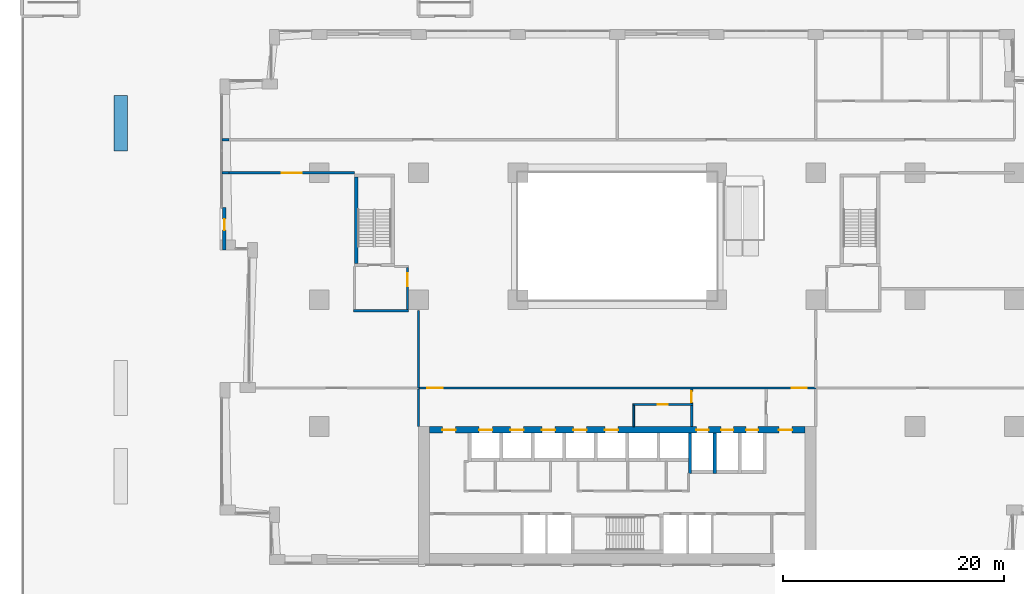
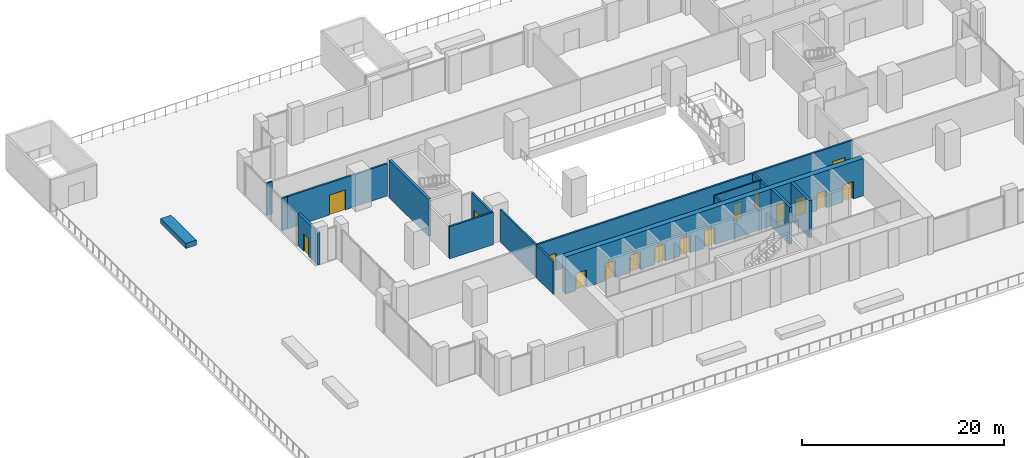
# One storey, part 13 of 19: 18 walls, 17 doors, 17 openings.
"""IFC4 building model written with IfcOpenShell, lengths in metres."""

from ifc_helpers import new_model, si_unit, direction, frame, frame_2d, origin, place, context, subcontext, project, spatial, rectangle, extrude, material, layer, layer_set, type_object, element, fill, save


model = new_model("IFC4")

# Units and contexts
model_context = context("Model", 3, precision=1e-05, world=origin(), true_north=direction((0.0, 1.0)))
body_context = subcontext(model_context, "Body", "Model", "MODEL_VIEW")
ifc_project = project(units=[si_unit("LENGTHUNIT", "METRE"), si_unit("AREAUNIT", "SQUARE_METRE"), si_unit("VOLUMEUNIT", "CUBIC_METRE"), si_unit("PLANEANGLEUNIT", "RADIAN"), si_unit("MASSUNIT", "GRAM", prefix="KILO")], contexts=[model_context])

# Site, building, storey
site_placement = place(None, origin())
site = spatial("IfcSite", under=ifc_project, at=site_placement, CompositionType="ELEMENT")
building_placement = place(site_placement, origin())
building = spatial("IfcBuilding", under=site, at=building_placement, Name="Brigalow Station Residences", CompositionType="ELEMENT")
storey_placement = place(building_placement, frame((0.0, 0.0, 11.0)))
storey = spatial("IfcBuildingStorey", under=building, at=storey_placement, Name="L02", CompositionType="ELEMENT", Elevation=11.0)

# Walls
ifc_material_1 = material(Name="Concrete C80", Category="concrete")
ifc_layer_1 = layer(ifc_material_1, 0.300048828125)
ifc_layer_set_1 = layer_set([ifc_layer_1], Name="CORE SHEAR WALL 300 C80")
wall_type_1 = type_object("IfcWallType", Name="CORE SHEAR WALL 300 C80", PredefinedType="SHEAR", material=ifc_layer_set_1)
for number, where, z_axis, x_axis, name in (
    (1, (42.60009765625, 8.25, 0.0), (0.0, 0.0, 1.0), (0.0, 1.0, 0.0), "CORE WALL SH-FF1-W L02"),
    (2, (44.85009765625, 8.25, 0.0), (0.0, 0.0, 1.0), (0.0, 1.0, 0.0), "CORE WALL SH-FF2-W L02"),
):
    element("IfcWall", number, at=place(storey_placement, frame(where, z_axis=z_axis, x_axis=x_axis)), inside=storey, type_object=wall_type_1, Name=name, PredefinedType="SHEAR", context=body_context, shape_type="SweptSolid", body=[
        extrude(rectangle(XDim=3.64990234375, YDim=0.300048828125, at=frame_2d((1.824951171875, 0.0))), origin(), (0.0, 0.0, 1.0), 4.5),
    ])
wall_1_placement = place(storey_placement, frame((12.35009765625, 27.300048828125, 0.0), z_axis=(0.0, 0.0, 1.0), x_axis=(0.0, 1.0, 0.0)))
element("IfcWall", 3, at=wall_1_placement, inside=storey, type_object=wall_type_1, Name="CORE WALL ST-S1-W L02", PredefinedType="SHEAR", context=body_context, shape_type="SweptSolid", body=[
    extrude(rectangle(XDim=7.800048828125, YDim=0.300048828125, at=frame_2d((3.89990234375, 0.0))), origin(), (0.0, 0.0, 1.0), 4.5),
])

# Wall, openings, doors
ifc_material_2 = material(Name="Concrete C80", Category="concrete")
ifc_layer_2 = layer(ifc_material_2, 0.60009765625)
ifc_layer_set_2 = layer_set([ifc_layer_2], Name="CORE SHEAR WALL 600 C80")
wall_type_2 = type_object("IfcWallType", Name="CORE SHEAR WALL 600 C80", PredefinedType="SHEAR", material=ifc_layer_set_2)
wall_2_placement = place(storey_placement, frame((19.0, 12.199951171875, 0.0), z_axis=(0.0, 0.0, 1.0), x_axis=(1.0, 0.0, 0.0)))
wall_2 = element("IfcWall", 4, at=wall_2_placement, inside=storey, type_object=wall_type_2, Name="CORE WALL OUT-N L02", PredefinedType="SHEAR", context=body_context, shape_type="SweptSolid", body=[
    extrude(rectangle(XDim=34.0, YDim=0.60009765625, at=frame_2d((17.0, 0.0))), origin(), (0.0, 0.0, 1.0), 4.5),
])
opening_1_placement = place(wall_2_placement, frame((4.47509765625, 0.0, 0.0)))
opening_1 = element("IfcOpeningElement", 5, at=opening_1_placement, cuts=wall_2, Name="Opening LD-LA1", PredefinedType="OPENING", context=body_context, shape_type="SweptSolid", body=[
    extrude(rectangle(XDim=1.199951171875, YDim=2.10009765625, at=frame_2d((0.60009765625, 1.050048828125))), frame((0.0, 0.31005859375, 0.0), z_axis=(0.0, -1.0, 0.0), x_axis=(1.0, 0.0, 0.0)), (0.0, 0.0, 1.0), 0.6201171875),
])
opening_2_placement = place(wall_2_placement, frame((7.324951171875, 0.0, 0.0)))
opening_2 = element("IfcOpeningElement", 6, at=opening_2_placement, cuts=wall_2, Name="Opening LD-LA2", PredefinedType="OPENING", context=body_context, shape_type="SweptSolid", body=[
    extrude(rectangle(XDim=1.199951171875, YDim=2.10009765625, at=frame_2d((0.60009765625, 1.050048828125))), frame((0.0, 0.31005859375, 0.0), z_axis=(0.0, -1.0, 0.0), x_axis=(1.0, 0.0, 0.0)), (0.0, 0.0, 1.0), 0.6201171875),
])
opening_3_placement = place(wall_2_placement, frame((10.175048828125, 0.0, 0.0)))
opening_3 = element("IfcOpeningElement", 7, at=opening_3_placement, cuts=wall_2, Name="Opening LD-LA3", PredefinedType="OPENING", context=body_context, shape_type="SweptSolid", body=[
    extrude(rectangle(XDim=1.199951171875, YDim=2.10009765625, at=frame_2d((0.60009765625, 1.050048828125))), frame((0.0, 0.31005859375, 0.0), z_axis=(0.0, -1.0, 0.0), x_axis=(1.0, 0.0, 0.0)), (0.0, 0.0, 1.0), 0.6201171875),
])
opening_4_placement = place(wall_2_placement, frame((13.02490234375, 0.0, 0.0)))
opening_4 = element("IfcOpeningElement", 8, at=opening_4_placement, cuts=wall_2, Name="Opening LD-LA4", PredefinedType="OPENING", context=body_context, shape_type="SweptSolid", body=[
    extrude(rectangle(XDim=1.199951171875, YDim=2.10009765625, at=frame_2d((0.60009765625, 1.050048828125))), frame((0.0, 0.31005859375, 0.0), z_axis=(0.0, -1.0, 0.0), x_axis=(1.0, 0.0, 0.0)), (0.0, 0.0, 1.0), 0.6201171875),
])
opening_5_placement = place(wall_2_placement, frame((15.875, 0.0, 0.0)))
opening_5 = element("IfcOpeningElement", 9, at=opening_5_placement, cuts=wall_2, Name="Opening LD-LA5", PredefinedType="OPENING", context=body_context, shape_type="SweptSolid", body=[
    extrude(rectangle(XDim=1.199951171875, YDim=2.10009765625, at=frame_2d((0.60009765625, 1.050048828125))), frame((0.0, 0.31005859375, 0.0), z_axis=(0.0, -1.0, 0.0), x_axis=(1.0, 0.0, 0.0)), (0.0, 0.0, 1.0), 0.6201171875),
])
opening_6_placement = place(wall_2_placement, frame((24.175048828125, 0.0, 0.0)))
opening_6 = element("IfcOpeningElement", 10, at=opening_6_placement, cuts=wall_2, Name="Opening LD-LF1", PredefinedType="OPENING", context=body_context, shape_type="SweptSolid", body=[
    extrude(rectangle(XDim=1.10009765625, YDim=2.10009765625, at=frame_2d((0.550048828125, 1.050048828125))), frame((0.0, 0.31005859375, 0.0), z_axis=(0.0, -1.0, 0.0), x_axis=(1.0, 0.0, 0.0)), (0.0, 0.0, 1.0), 0.6201171875),
])
opening_7_placement = place(wall_2_placement, frame((26.425048828125, 0.0, 0.0)))
opening_7 = element("IfcOpeningElement", 11, at=opening_7_placement, cuts=wall_2, Name="Opening LD-LF2", PredefinedType="OPENING", context=body_context, shape_type="SweptSolid", body=[
    extrude(rectangle(XDim=1.10009765625, YDim=2.10009765625, at=frame_2d((0.550048828125, 1.050048828125))), frame((0.0, 0.31005859375, 0.0), z_axis=(0.0, -1.0, 0.0), x_axis=(1.0, 0.0, 0.0)), (0.0, 0.0, 1.0), 0.6201171875),
])
opening_8_placement = place(wall_2_placement, frame((28.675048828125, 0.0, 0.0)))
opening_8 = element("IfcOpeningElement", 12, at=opening_8_placement, cuts=wall_2, Name="Opening LD-LG1", PredefinedType="OPENING", context=body_context, shape_type="SweptSolid", body=[
    extrude(rectangle(XDim=1.10009765625, YDim=2.10009765625, at=frame_2d((0.550048828125, 1.050048828125))), frame((0.0, 0.31005859375, 0.0), z_axis=(0.0, -1.0, 0.0), x_axis=(1.0, 0.0, 0.0)), (0.0, 0.0, 1.0), 0.6201171875),
])
opening_9_placement = place(wall_2_placement, frame((1.14990234375, 0.0, 0.0)))
opening_9 = element("IfcOpeningElement", 13, at=opening_9_placement, cuts=wall_2, Name="Opening D-5011", PredefinedType="OPENING", context=body_context, shape_type="SweptSolid", body=[
    extrude(rectangle(XDim=1.199951171875, YDim=2.10009765625, at=frame_2d((0.60009765625, 1.050048828125))), frame((0.0, 0.31005859375, 0.0), z_axis=(0.0, -1.0, 0.0), x_axis=(1.0, 0.0, 0.0)), (0.0, 0.0, 1.0), 0.6201171875),
])
opening_10_placement = place(wall_2_placement, frame((31.64990234375, 0.0, 0.0)))
opening_10 = element("IfcOpeningElement", 14, at=opening_10_placement, cuts=wall_2, Name="Opening D-5012", PredefinedType="OPENING", context=body_context, shape_type="SweptSolid", body=[
    extrude(rectangle(XDim=1.199951171875, YDim=2.10009765625, at=frame_2d((0.60009765625, 1.050048828125))), frame((0.0, 0.31005859375, 0.0), z_axis=(0.0, -1.0, 0.0), x_axis=(1.0, 0.0, 0.0)), (0.0, 0.0, 1.0), 0.6201171875),
])
ifc_material_3 = material(Name="Steel fire door leaf in steel frame", Category="steel")
door_type_1 = type_object("IfcDoorType", Name="CORE CORRIDOR DOOR 1200 x 2100 FD60S", OperationType="SINGLE_SWING_LEFT", PredefinedType="DOOR", material=ifc_material_3)
door_1_placement = place(opening_9_placement, frame((1.199951171875, 0.0, 0.0), z_axis=(0.0, 0.0, 1.0), x_axis=(-1.0, 0.0, 0.0)))
door_1 = element("IfcDoor", 15, at=door_1_placement, inside=storey, type_object=door_type_1, Name="D-5011", OperationType="SINGLE_SWING_LEFT", OverallHeight=2.10009765625, OverallWidth=1.199951171875, PredefinedType="DOOR", context=body_context, shape_type="SweptSolid", body=[
    extrude(rectangle(XDim=1.199951171875, YDim=2.10009765625, at=frame_2d((0.60009765625, 1.050048828125))), frame((0.0, 0.02490234375, 0.0), z_axis=(0.0, -1.0, 0.0), x_axis=(1.0, 0.0, 0.0)), (0.0, 0.0, 1.0), 0.050048828125),
])
fill(opening_9, door_1)
door_2_placement = place(opening_10_placement, frame((1.199951171875, 0.0, 0.0), z_axis=(0.0, 0.0, 1.0), x_axis=(-1.0, 0.0, 0.0)))
door_2 = element("IfcDoor", 16, at=door_2_placement, inside=storey, type_object=door_type_1, Name="D-5012", OperationType="SINGLE_SWING_RIGHT", OverallHeight=2.10009765625, OverallWidth=1.199951171875, PredefinedType="DOOR", context=body_context, shape_type="SweptSolid", body=[
    extrude(rectangle(XDim=1.199951171875, YDim=2.10009765625, at=frame_2d((0.60009765625, 1.050048828125))), frame((0.0, 0.02490234375, 0.0), z_axis=(0.0, -1.0, 0.0), x_axis=(1.0, 0.0, 0.0)), (0.0, 0.0, 1.0), 0.050048828125),
])
fill(opening_10, door_2)
ifc_material_4 = material(Name="Stainless steel sliding door leaves", Category="steel")
door_type_2 = type_object("IfcDoorType", Name="LIFT LANDING DOOR 1100 x 2100", OperationType="DOUBLE_DOOR_SLIDING", PredefinedType="DOOR", material=ifc_material_4)
door_3_placement = place(opening_6_placement, origin())
door_3 = element("IfcDoor", 17, at=door_3_placement, inside=storey, type_object=door_type_2, Name="LANDING DOOR LF1", OperationType="DOUBLE_DOOR_SLIDING", OverallHeight=2.10009765625, OverallWidth=1.10009765625, PredefinedType="DOOR", context=body_context, shape_type="SweptSolid", body=[
    extrude(rectangle(XDim=1.10009765625, YDim=2.10009765625, at=frame_2d((0.550048828125, 1.050048828125))), frame((0.0, 0.02490234375, 0.0), z_axis=(0.0, -1.0, 0.0), x_axis=(1.0, 0.0, 0.0)), (0.0, 0.0, 1.0), 0.050048828125),
])
fill(opening_6, door_3)
door_4_placement = place(opening_7_placement, origin())
door_4 = element("IfcDoor", 18, at=door_4_placement, inside=storey, type_object=door_type_2, Name="LANDING DOOR LF2", OperationType="DOUBLE_DOOR_SLIDING", OverallHeight=2.10009765625, OverallWidth=1.10009765625, PredefinedType="DOOR", context=body_context, shape_type="SweptSolid", body=[
    extrude(rectangle(XDim=1.10009765625, YDim=2.10009765625, at=frame_2d((0.550048828125, 1.050048828125))), frame((0.0, 0.02490234375, 0.0), z_axis=(0.0, -1.0, 0.0), x_axis=(1.0, 0.0, 0.0)), (0.0, 0.0, 1.0), 0.050048828125),
])
fill(opening_7, door_4)
door_5_placement = place(opening_8_placement, origin())
door_5 = element("IfcDoor", 19, at=door_5_placement, inside=storey, type_object=door_type_2, Name="LANDING DOOR LG1", OperationType="DOUBLE_DOOR_SLIDING", OverallHeight=2.10009765625, OverallWidth=1.10009765625, PredefinedType="DOOR", context=body_context, shape_type="SweptSolid", body=[
    extrude(rectangle(XDim=1.10009765625, YDim=2.10009765625, at=frame_2d((0.550048828125, 1.050048828125))), frame((0.0, 0.02490234375, 0.0), z_axis=(0.0, -1.0, 0.0), x_axis=(1.0, 0.0, 0.0)), (0.0, 0.0, 1.0), 0.050048828125),
])
fill(opening_8, door_5)
ifc_material_5 = material(Name="Stainless steel sliding door leaves", Category="steel")
door_type_3 = type_object("IfcDoorType", Name="LIFT LANDING DOOR 1200 x 2100", OperationType="DOUBLE_DOOR_SLIDING", PredefinedType="DOOR", material=ifc_material_5)
door_6_placement = place(opening_1_placement, origin())
door_6 = element("IfcDoor", 20, at=door_6_placement, inside=storey, type_object=door_type_3, Name="LANDING DOOR LA1", OperationType="DOUBLE_DOOR_SLIDING", OverallHeight=2.10009765625, OverallWidth=1.199951171875, PredefinedType="DOOR", context=body_context, shape_type="SweptSolid", body=[
    extrude(rectangle(XDim=1.199951171875, YDim=2.10009765625, at=frame_2d((0.60009765625, 1.050048828125))), frame((0.0, 0.02490234375, 0.0), z_axis=(0.0, -1.0, 0.0), x_axis=(1.0, 0.0, 0.0)), (0.0, 0.0, 1.0), 0.050048828125),
])
fill(opening_1, door_6)
door_7_placement = place(opening_2_placement, origin())
door_7 = element("IfcDoor", 21, at=door_7_placement, inside=storey, type_object=door_type_3, Name="LANDING DOOR LA2", OperationType="DOUBLE_DOOR_SLIDING", OverallHeight=2.10009765625, OverallWidth=1.199951171875, PredefinedType="DOOR", context=body_context, shape_type="SweptSolid", body=[
    extrude(rectangle(XDim=1.199951171875, YDim=2.10009765625, at=frame_2d((0.60009765625, 1.050048828125))), frame((0.0, 0.02490234375, 0.0), z_axis=(0.0, -1.0, 0.0), x_axis=(1.0, 0.0, 0.0)), (0.0, 0.0, 1.0), 0.050048828125),
])
fill(opening_2, door_7)
door_8_placement = place(opening_3_placement, origin())
door_8 = element("IfcDoor", 22, at=door_8_placement, inside=storey, type_object=door_type_3, Name="LANDING DOOR LA3", OperationType="DOUBLE_DOOR_SLIDING", OverallHeight=2.10009765625, OverallWidth=1.199951171875, PredefinedType="DOOR", context=body_context, shape_type="SweptSolid", body=[
    extrude(rectangle(XDim=1.199951171875, YDim=2.10009765625, at=frame_2d((0.60009765625, 1.050048828125))), frame((0.0, 0.02490234375, 0.0), z_axis=(0.0, -1.0, 0.0), x_axis=(1.0, 0.0, 0.0)), (0.0, 0.0, 1.0), 0.050048828125),
])
fill(opening_3, door_8)
door_9_placement = place(opening_4_placement, origin())
door_9 = element("IfcDoor", 23, at=door_9_placement, inside=storey, type_object=door_type_3, Name="LANDING DOOR LA4", OperationType="DOUBLE_DOOR_SLIDING", OverallHeight=2.10009765625, OverallWidth=1.199951171875, PredefinedType="DOOR", context=body_context, shape_type="SweptSolid", body=[
    extrude(rectangle(XDim=1.199951171875, YDim=2.10009765625, at=frame_2d((0.60009765625, 1.050048828125))), frame((0.0, 0.02490234375, 0.0), z_axis=(0.0, -1.0, 0.0), x_axis=(1.0, 0.0, 0.0)), (0.0, 0.0, 1.0), 0.050048828125),
])
fill(opening_4, door_9)
door_10_placement = place(opening_5_placement, origin())
door_10 = element("IfcDoor", 24, at=door_10_placement, inside=storey, type_object=door_type_3, Name="LANDING DOOR LA5", OperationType="DOUBLE_DOOR_SLIDING", OverallHeight=2.10009765625, OverallWidth=1.199951171875, PredefinedType="DOOR", context=body_context, shape_type="SweptSolid", body=[
    extrude(rectangle(XDim=1.199951171875, YDim=2.10009765625, at=frame_2d((0.60009765625, 1.050048828125))), frame((0.0, 0.02490234375, 0.0), z_axis=(0.0, -1.0, 0.0), x_axis=(1.0, 0.0, 0.0)), (0.0, 0.0, 1.0), 0.050048828125),
])
fill(opening_5, door_10)

# Wall, opening, door
ifc_material_6 = material(Name="Glass and aluminium shopfront on a masonry base", Category="masonry")
ifc_layer_3 = layer(ifc_material_6, 0.300048828125)
ifc_layer_set_3 = layer_set([ifc_layer_3], Name="ENTRANCE INFILL 300")
wall_type_3 = type_object("IfcWallType", Name="ENTRANCE INFILL 300", PredefinedType="SOLIDWALL", material=ifc_layer_set_3)
wall_3_placement = place(storey_placement, frame((0.39990234375, 28.5, 0.0), z_axis=(0.0, 0.0, 1.0), x_axis=(0.0, 1.0, 0.0)))
wall_3 = element("IfcWall", 25, at=wall_3_placement, inside=storey, type_object=wall_type_3, Name="Entrance Infill 300 Gymnasium / TERRACE", PredefinedType="SOLIDWALL", context=body_context, shape_type="SweptSolid", body=[
    extrude(rectangle(XDim=3.875, YDim=0.300048828125, at=frame_2d((1.9375, 0.0))), origin(), (0.0, 0.0, 1.0), 3.89990234375),
])
opening_11_placement = place(wall_3_placement, frame((1.800048828125, 0.0, 0.0)))
opening_11 = element("IfcOpeningElement", 26, at=opening_11_placement, cuts=wall_3, Name="Opening D-7407", PredefinedType="OPENING", context=body_context, shape_type="SweptSolid", body=[
    extrude(rectangle(XDim=1.0, YDim=2.10009765625, at=frame_2d((0.5, 1.050048828125))), frame((0.0, 0.16015625, 0.0), z_axis=(0.0, -1.0, 0.0), x_axis=(1.0, 0.0, 0.0)), (0.0, 0.0, 1.0), 0.320068359375),
])
ifc_material_7 = material(Name="Timber door leaf in steel frame", Category="steel")
door_type_4 = type_object("IfcDoorType", Name="DOOR SINGLE 1000", OperationType="SINGLE_SWING_LEFT", PredefinedType="DOOR", material=ifc_material_7)
door_11_placement = place(opening_11_placement, frame((1.0, 0.0, 0.0), z_axis=(0.0, 0.0, 1.0), x_axis=(-1.0, 0.0, 0.0)))
door_11 = element("IfcDoor", 27, at=door_11_placement, inside=storey, type_object=door_type_4, Name="Gymnasium terrace door", OperationType="SINGLE_SWING_RIGHT", OverallHeight=2.10009765625, OverallWidth=1.0, PredefinedType="DOOR", context=body_context, shape_type="SweptSolid", body=[
    extrude(rectangle(XDim=1.0, YDim=2.10009765625, at=frame_2d((0.5, 1.050048828125))), frame((0.0, 0.02490234375, 0.0), z_axis=(0.0, -1.0, 0.0), x_axis=(1.0, 0.0, 0.0)), (0.0, 0.0, 1.0), 0.050048828125),
])
fill(opening_11, door_11)

# Walls
ifc_material_8 = material(Name="Concrete blockwork", Category="masonry")
ifc_layer_4 = layer(ifc_material_8, 0.199951171875)
ifc_layer_set_4 = layer_set([ifc_layer_4], Name="FIRE RATED CORE PARTITION 200")
wall_type_4 = type_object("IfcWallType", Name="FIRE RATED CORE PARTITION 200", PredefinedType="PARTITIONING", material=ifc_layer_set_4)
wall_4_placement = place(storey_placement, frame((12.10009765625, 23.0, 0.0), z_axis=(0.0, 0.0, 1.0), x_axis=(1.0, 0.0, 0.0)))
element("IfcWall", 28, at=wall_4_placement, inside=storey, type_object=wall_type_4, Name="PW-5023", PredefinedType="PARTITIONING", context=body_context, shape_type="SweptSolid", body=[
    extrude(rectangle(XDim=5.0, YDim=0.199951171875, at=frame_2d((2.5, 0.0))), origin(), (0.0, 0.0, 1.0), 3.89990234375),
])
wall_5_placement = place(storey_placement, frame((18.0, 12.5, 0.0), z_axis=(0.0, 0.0, 1.0), x_axis=(0.0, 1.0, 0.0)))
element("IfcWall", 29, at=wall_5_placement, inside=storey, type_object=wall_type_4, Name="PW-5013", PredefinedType="PARTITIONING", context=body_context, shape_type="SweptSolid", body=[
    extrude(rectangle(XDim=3.39990234375, YDim=0.199951171875, at=frame_2d((1.699951171875, 0.0))), origin(), (0.0, 0.0, 1.0), 3.89990234375),
])
wall_6_placement = place(storey_placement, frame((42.75, 12.5, 0.0), z_axis=(0.0, 0.0, 1.0), x_axis=(0.0, 1.0, 0.0)))
element("IfcWall", 30, at=wall_6_placement, inside=storey, type_object=wall_type_4, Name="PW-5046", PredefinedType="PARTITIONING", context=body_context, shape_type="SweptSolid", body=[
    extrude(rectangle(XDim=1.925048828125, YDim=0.199951171875, at=frame_2d((0.96240234375, 0.0))), origin(), (0.0, 0.0, 1.0), 3.89990234375),
])

# Wall, opening, door
wall_7_placement = place(storey_placement, frame((42.75, 14.574951171875, 0.0), z_axis=(0.0, 0.0, 1.0), x_axis=(0.0, 1.0, 0.0)))
wall_7 = element("IfcWall", 31, at=wall_7_placement, inside=storey, type_object=wall_type_4, Name="PW-5047", PredefinedType="PARTITIONING", context=body_context, shape_type="SweptSolid", body=[
    extrude(rectangle(XDim=1.324951171875, YDim=0.199951171875, at=frame_2d((0.66259765625, 0.0))), origin(), (0.0, 0.0, 1.0), 3.89990234375),
])
opening_12_placement = place(wall_7_placement, frame((0.125, 0.0, 0.0)))
opening_12 = element("IfcOpeningElement", 32, at=opening_12_placement, cuts=wall_7, Name="Opening D-5013", PredefinedType="OPENING", context=body_context, shape_type="SweptSolid", body=[
    extrude(rectangle(XDim=1.0, YDim=2.10009765625, at=frame_2d((0.5, 1.050048828125))), frame((0.0, 0.10986328125, 0.0), z_axis=(0.0, -1.0, 0.0), x_axis=(1.0, 0.0, 0.0)), (0.0, 0.0, 1.0), 0.219970703125),
])
ifc_material_9 = material(Name="Steel fire door leaf in steel frame", Category="steel")
door_type_5 = type_object("IfcDoorType", Name="LOBBY DOOR 1000 x 2100 FD60S", OperationType="SINGLE_SWING_LEFT", PredefinedType="DOOR", material=ifc_material_9)
door_12_placement = place(opening_12_placement, origin())
door_12 = element("IfcDoor", 33, at=door_12_placement, inside=storey, type_object=door_type_5, Name="D-5013", OperationType="SINGLE_SWING_LEFT", OverallHeight=2.10009765625, OverallWidth=1.0, PredefinedType="DOOR", context=body_context, shape_type="SweptSolid", body=[
    extrude(rectangle(XDim=1.0, YDim=2.10009765625, at=frame_2d((0.5, 1.050048828125))), frame((0.0, 0.02490234375, 0.0), z_axis=(0.0, -1.0, 0.0), x_axis=(1.0, 0.0, 0.0)), (0.0, 0.0, 1.0), 0.050048828125),
])
fill(opening_12, door_12)

wall_8_placement = place(storey_placement, frame((17.0, 23.10009765625, 0.0), z_axis=(0.0, 0.0, 1.0), x_axis=(0.0, 1.0, 0.0)))
wall_8 = element("IfcWall", 34, at=wall_8_placement, inside=storey, type_object=wall_type_4, Name="PW-5035", PredefinedType="PARTITIONING", context=body_context, shape_type="SweptSolid", body=[
    extrude(rectangle(XDim=3.7998046875, YDim=0.199951171875, at=frame_2d((1.89990234375, 0.0))), origin(), (0.0, 0.0, 1.0), 3.89990234375),
])
opening_13_placement = place(wall_8_placement, frame((2.10009765625, 0.0, 0.0)))
opening_13 = element("IfcOpeningElement", 35, at=opening_13_placement, cuts=wall_8, Name="Opening D-5016", PredefinedType="OPENING", context=body_context, shape_type="SweptSolid", body=[
    extrude(rectangle(XDim=1.199951171875, YDim=2.10009765625, at=frame_2d((0.60009765625, 1.050048828125))), frame((0.0, 0.10986328125, 0.0), z_axis=(0.0, -1.0, 0.0), x_axis=(1.0, 0.0, 0.0)), (0.0, 0.0, 1.0), 0.219970703125),
])
ifc_material_10 = material(Name="Steel fire door leaf in steel frame", Category="steel")
door_type_6 = type_object("IfcDoorType", Name="STAIR LOBBY DOOR 1200 x 2100 FD60S", OperationType="SINGLE_SWING_LEFT", PredefinedType="DOOR", material=ifc_material_10)
door_13_placement = place(opening_13_placement, frame((1.199951171875, 0.0, 0.0), z_axis=(0.0, 0.0, 1.0), x_axis=(-1.0, 0.0, 0.0)))
door_13 = element("IfcDoor", 36, at=door_13_placement, inside=storey, type_object=door_type_6, Name="D-5016", OperationType="SINGLE_SWING_LEFT", OverallHeight=2.10009765625, OverallWidth=1.199951171875, PredefinedType="DOOR", context=body_context, shape_type="SweptSolid", body=[
    extrude(rectangle(XDim=1.199951171875, YDim=2.10009765625, at=frame_2d((0.60009765625, 1.050048828125))), frame((0.0, 0.02490234375, 0.0), z_axis=(0.0, -1.0, 0.0), x_axis=(1.0, 0.0, 0.0)), (0.0, 0.0, 1.0), 0.050048828125),
])
fill(opening_13, door_13)

# Wall, openings, doors
wall_9_placement = place(storey_placement, frame((17.89990234375, 16.0, 0.0), z_axis=(0.0, 0.0, 1.0), x_axis=(1.0, 0.0, 0.0)))
wall_9 = element("IfcWall", 37, at=wall_9_placement, inside=storey, type_object=wall_type_4, Name="PW-5038", PredefinedType="PARTITIONING", context=body_context, shape_type="SweptSolid", body=[
    extrude(rectangle(XDim=36.2001953125, YDim=0.199951171875, at=frame_2d((18.10009765625, 0.0))), origin(), (0.0, 0.0, 1.0), 3.89990234375),
])
opening_14_placement = place(wall_9_placement, frame((0.89990234375, 0.0, 0.0)))
opening_14 = element("IfcOpeningElement", 38, at=opening_14_placement, cuts=wall_9, Name="Opening D-5029", PredefinedType="OPENING", context=body_context, shape_type="SweptSolid", body=[
    extrude(rectangle(XDim=1.39990234375, YDim=2.10009765625, at=frame_2d((0.699951171875, 1.050048828125))), frame((0.0, 0.10986328125, 0.0), z_axis=(0.0, -1.0, 0.0), x_axis=(1.0, 0.0, 0.0)), (0.0, 0.0, 1.0), 0.219970703125),
])
opening_15_placement = place(wall_9_placement, frame((33.89990234375, 0.0, 0.0)))
opening_15 = element("IfcOpeningElement", 39, at=opening_15_placement, cuts=wall_9, Name="Opening D-5030", PredefinedType="OPENING", context=body_context, shape_type="SweptSolid", body=[
    extrude(rectangle(XDim=1.39990234375, YDim=2.10009765625, at=frame_2d((0.699951171875, 1.050048828125))), frame((0.0, 0.10986328125, 0.0), z_axis=(0.0, -1.0, 0.0), x_axis=(1.0, 0.0, 0.0)), (0.0, 0.0, 1.0), 0.219970703125),
])
ifc_material_11 = material(Name="Steel fire door leaves in steel frame", Category="steel")
door_type_7 = type_object("IfcDoorType", Name="CORRIDOR FIRE DOOR 1400 x 2100 FD60S", OperationType="SINGLE_SWING_LEFT", PredefinedType="DOOR", material=ifc_material_11)
door_14_placement = place(opening_14_placement, frame((1.39990234375, 0.0, 0.0), z_axis=(0.0, 0.0, 1.0), x_axis=(-1.0, 0.0, 0.0)))
door_14 = element("IfcDoor", 40, at=door_14_placement, inside=storey, type_object=door_type_7, Name="D-5029", OperationType="SINGLE_SWING_RIGHT", OverallHeight=2.10009765625, OverallWidth=1.39990234375, PredefinedType="DOOR", context=body_context, shape_type="SweptSolid", body=[
    extrude(rectangle(XDim=1.39990234375, YDim=2.10009765625, at=frame_2d((0.699951171875, 1.050048828125))), frame((0.0, 0.02490234375, 0.0), z_axis=(0.0, -1.0, 0.0), x_axis=(1.0, 0.0, 0.0)), (0.0, 0.0, 1.0), 0.050048828125),
])
fill(opening_14, door_14)
door_15_placement = place(opening_15_placement, frame((1.39990234375, 0.0, 0.0), z_axis=(0.0, 0.0, 1.0), x_axis=(-1.0, 0.0, 0.0)))
door_15 = element("IfcDoor", 41, at=door_15_placement, inside=storey, type_object=door_type_7, Name="D-5030", OperationType="SINGLE_SWING_LEFT", OverallHeight=2.10009765625, OverallWidth=1.39990234375, PredefinedType="DOOR", context=body_context, shape_type="SweptSolid", body=[
    extrude(rectangle(XDim=1.39990234375, YDim=2.10009765625, at=frame_2d((0.699951171875, 1.050048828125))), frame((0.0, 0.02490234375, 0.0), z_axis=(0.0, -1.0, 0.0), x_axis=(1.0, 0.0, 0.0)), (0.0, 0.0, 1.0), 0.050048828125),
])
fill(opening_15, door_15)

# Wall, opening, door
ifc_material_12 = material(Name="Plasterboard on steel studs with acoustic insulation", Category="steel")
ifc_layer_5 = layer(ifc_material_12, 0.199951171875)
ifc_layer_set_5 = layer_set([ifc_layer_5], Name="PARTITION 200")
wall_type_5 = type_object("IfcWallType", Name="PARTITION 200", PredefinedType="PARTITIONING", material=ifc_layer_set_5)
wall_10_placement = place(storey_placement, frame((0.800048828125, 35.5, 0.0), z_axis=(0.0, 0.0, 1.0), x_axis=(1.0, 0.0, 0.0)))
wall_10 = element("IfcWall", 42, at=wall_10_placement, inside=storey, type_object=wall_type_5, Name="Partition 200 Amenity Gallery / Gymnasium", PredefinedType="PARTITIONING", context=body_context, shape_type="SweptSolid", body=[
    extrude(rectangle(XDim=11.39990234375, YDim=0.199951171875, at=frame_2d((5.699951171875, 0.0))), origin(), (0.0, 0.0, 1.0), 3.89990234375),
])
opening_16_placement = place(wall_10_placement, frame((4.800048828125, 0.0, 0.0)))
opening_16 = element("IfcOpeningElement", 43, at=opening_16_placement, cuts=wall_10, Name="Opening D-7416", PredefinedType="OPENING", context=body_context, shape_type="SweptSolid", body=[
    extrude(rectangle(XDim=1.800048828125, YDim=2.39990234375, at=frame_2d((0.89990234375, 1.199951171875))), frame((0.0, 0.10986328125, 0.0), z_axis=(0.0, -1.0, 0.0), x_axis=(1.0, 0.0, 0.0)), (0.0, 0.0, 1.0), 0.219970703125),
])
ifc_material_13 = material(Name="Timber door leaves in steel frame", Category="steel")
door_type_8 = type_object("IfcDoorType", Name="DOOR DOUBLE 1800", OperationType="DOUBLE_DOOR_SINGLE_SWING", PredefinedType="DOOR", material=ifc_material_13)
door_16_placement = place(opening_16_placement, origin())
door_16 = element("IfcDoor", 44, at=door_16_placement, inside=storey, type_object=door_type_8, Name="Gymnasium door", OperationType="DOUBLE_DOOR_SINGLE_SWING", OverallHeight=2.39990234375, OverallWidth=1.800048828125, PredefinedType="DOOR", context=body_context, shape_type="SweptSolid", body=[
    extrude(rectangle(XDim=1.800048828125, YDim=2.39990234375, at=frame_2d((0.89990234375, 1.199951171875))), frame((0.0, 0.02490234375, 0.0), z_axis=(0.0, -1.0, 0.0), x_axis=(1.0, 0.0, 0.0)), (0.0, 0.0, 1.0), 0.050048828125),
])
fill(opening_16, door_16)

# Walls
wall_11_placement = place(storey_placement, frame((18.0, 16.0, 0.0), z_axis=(0.0, 0.0, 1.0), x_axis=(0.0, 1.0, 0.0)))
element("IfcWall", 45, at=wall_11_placement, inside=storey, type_object=wall_type_5, Name="Partition 200 Amenity Gallery / Gymnasium", PredefinedType="PARTITIONING", context=body_context, shape_type="SweptSolid", body=[
    extrude(rectangle(XDim=7.0, YDim=0.199951171875, at=frame_2d((3.5, 0.0))), origin(), (0.0, 0.0, 1.0), 3.89990234375),
])
for number, where, z_axis, x_axis, name in (
    (46, (0.18505859375, 35.5, 0.0), (0.0, 0.0, 1.0), (1.0, 0.0, 0.0), "Partition 200 Gymnasium / FACADE"),
    (47, (0.18505859375, 38.5, 0.0), (0.0, 0.0, 1.0), (1.0, 0.0, 0.0), "Partition 200 Lap Pool / FACADE"),
):
    element("IfcWall", number, at=place(storey_placement, frame(where, z_axis=z_axis, x_axis=x_axis)), inside=storey, type_object=wall_type_5, Name=name, PredefinedType="PARTITIONING", context=body_context, shape_type="SweptSolid", body=[
        extrude(rectangle(XDim=0.614990234375, YDim=0.199951171875, at=frame_2d((0.3076171875, 0.0))), origin(), (0.0, 0.0, 1.0), 3.89990234375),
    ])
ifc_material_14 = material(Name="Concrete C50", Category="concrete")
ifc_layer_6 = layer(ifc_material_14, 1.199951171875)
ifc_layer_set_6 = layer_set([ifc_layer_6], Name="PLANTER 1200")
wall_type_6 = type_object("IfcWallType", Name="PLANTER 1200", PredefinedType="USERDEFINED", material=ifc_layer_set_6)
wall_12_placement = place(storey_placement, frame((-9.0, 37.5, 0.0), z_axis=(0.0, 0.0, 1.0), x_axis=(0.0, 1.0, 0.0)))
element("IfcWall", 48, at=wall_12_placement, inside=storey, type_object=wall_type_6, Name="Planter TW3", ObjectType="PLANTER", PredefinedType="USERDEFINED", context=body_context, shape_type="SweptSolid", body=[
    extrude(rectangle(XDim=5.0, YDim=1.199951171875, at=frame_2d((2.5, 0.0))), origin(), (0.0, 0.0, 1.0), 0.60009765625),
])

# Wall, opening, door
ifc_material_15 = material(Name="Plasterboard on steel studs", Category="steel")
ifc_layer_7 = layer(ifc_material_15, 0.14990234375)
ifc_layer_set_7 = layer_set([ifc_layer_7], Name="SERVICE ROOM PARTITION 150")
wall_type_7 = type_object("IfcWallType", Name="SERVICE ROOM PARTITION 150", PredefinedType="PARTITIONING", material=ifc_layer_set_7)
wall_13_placement = place(storey_placement, frame((37.425048828125, 14.5, 0.0), z_axis=(0.0, 0.0, 1.0), x_axis=(1.0, 0.0, 0.0)))
wall_13 = element("IfcWall", 49, at=wall_13_placement, inside=storey, type_object=wall_type_7, Name="PW-5039", PredefinedType="PARTITIONING", context=body_context, shape_type="SweptSolid", body=[
    extrude(rectangle(XDim=5.425048828125, YDim=0.14990234375, at=frame_2d((2.71240234375, 0.0))), origin(), (0.0, 0.0, 1.0), 3.89990234375),
])
opening_17_placement = place(wall_13_placement, frame((2.25, 0.0, 0.0)))
opening_17 = element("IfcOpeningElement", 50, at=opening_17_placement, cuts=wall_13, Name="Opening D-5036", PredefinedType="OPENING", context=body_context, shape_type="SweptSolid", body=[
    extrude(rectangle(XDim=0.89990234375, YDim=2.10009765625, at=frame_2d((0.449951171875, 1.050048828125))), frame((0.0, 0.0849609375, 0.0), z_axis=(0.0, -1.0, 0.0), x_axis=(1.0, 0.0, 0.0)), (0.0, 0.0, 1.0), 0.169921875),
])
ifc_material_16 = material(Name="Steel door leaf in steel frame", Category="steel")
door_type_9 = type_object("IfcDoorType", Name="SERVICE ROOM DOOR 900 x 2100 FD60", OperationType="SINGLE_SWING_LEFT", PredefinedType="DOOR", material=ifc_material_16)
door_17_placement = place(opening_17_placement, frame((0.89990234375, 0.0, 0.0), z_axis=(0.0, 0.0, 1.0), x_axis=(-1.0, 0.0, 0.0)))
door_17 = element("IfcDoor", 51, at=door_17_placement, inside=storey, type_object=door_type_9, Name="D-5036", OperationType="SINGLE_SWING_LEFT", OverallHeight=2.10009765625, OverallWidth=0.89990234375, PredefinedType="DOOR", context=body_context, shape_type="SweptSolid", body=[
    extrude(rectangle(XDim=0.89990234375, YDim=2.10009765625, at=frame_2d((0.449951171875, 1.050048828125))), frame((0.0, 0.02490234375, 0.0), z_axis=(0.0, -1.0, 0.0), x_axis=(1.0, 0.0, 0.0)), (0.0, 0.0, 1.0), 0.050048828125),
])
fill(opening_17, door_17)

# Wall
wall_14_placement = place(storey_placement, frame((37.5, 12.5, 0.0), z_axis=(0.0, 0.0, 1.0), x_axis=(0.0, 1.0, 0.0)))
element("IfcWall", 52, at=wall_14_placement, inside=storey, type_object=wall_type_7, Name="PW-5045", PredefinedType="PARTITIONING", context=body_context, shape_type="SweptSolid", body=[
    extrude(rectangle(XDim=1.925048828125, YDim=0.14990234375, at=frame_2d((0.96240234375, 0.0))), origin(), (0.0, 0.0, 1.0), 3.89990234375),
])

save(model, "model.ifc")
